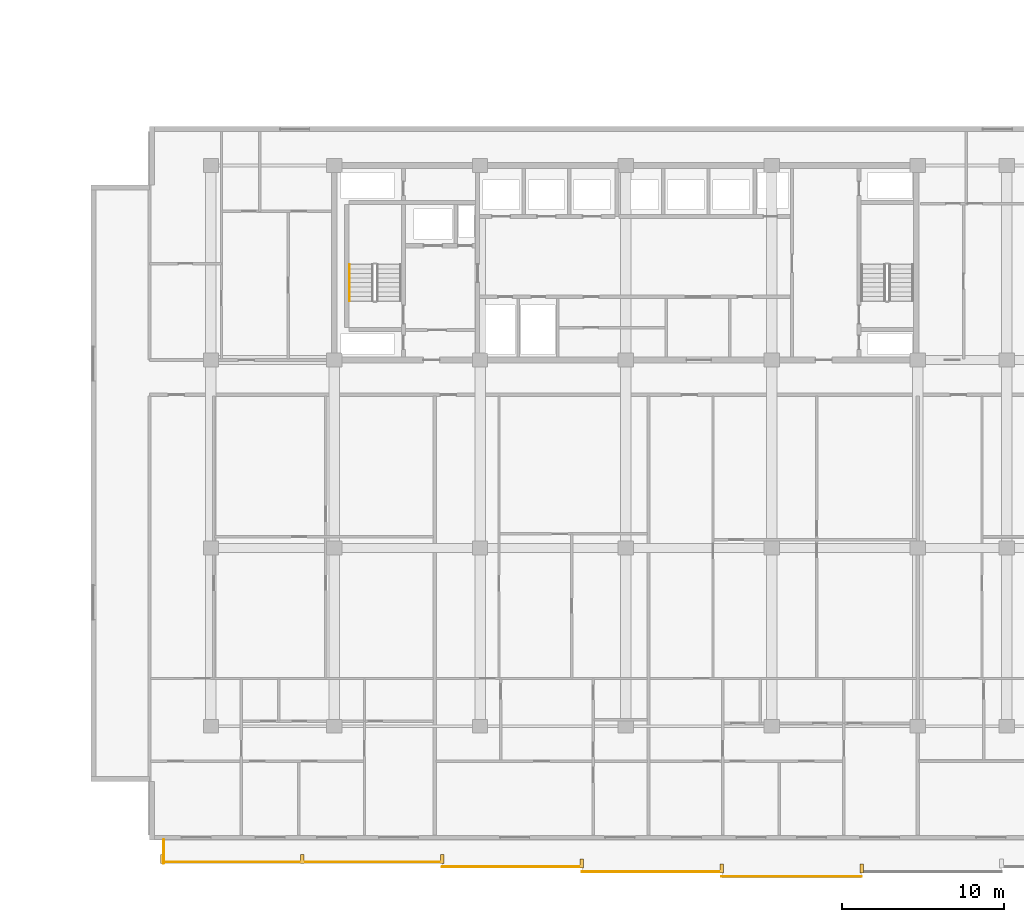
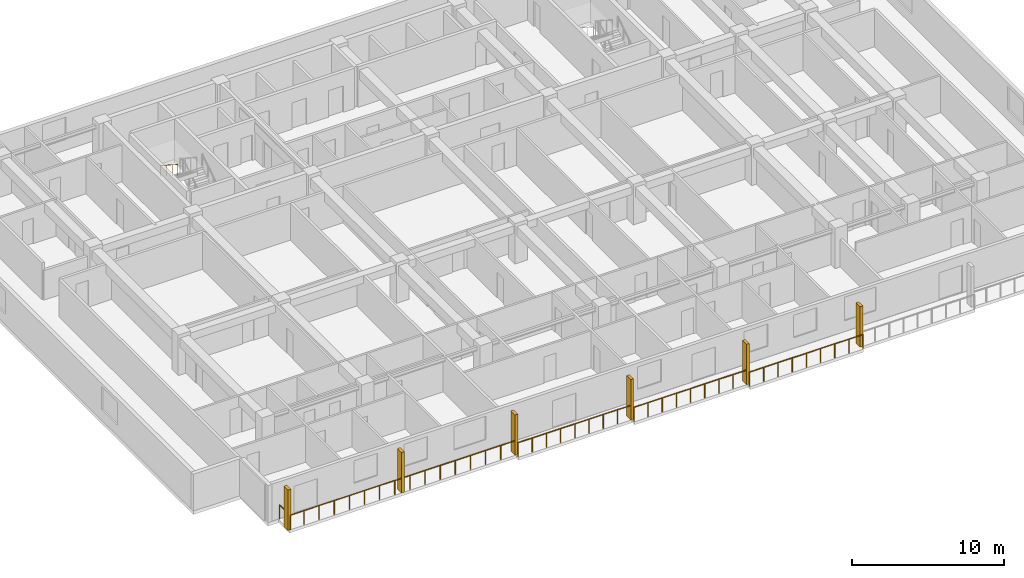
# One storey, part 19 of 23: 6 railings, 6 shading devices.
"""IFC4 building model written with IfcOpenShell, lengths in metres."""

from ifc_helpers import new_model, si_unit, direction, frame, origin, origin_2d, place, context, subcontext, project, spatial, rectangle, circle, extrude, material, type_object, element, save


model = new_model("IFC4")

# Units and contexts
model_context = context("Model", 3, precision=1e-05, world=origin(), true_north=direction((0.0, 1.0)))
body_context = subcontext(model_context, "Body", "Model", "MODEL_VIEW")
ifc_project = project(units=[si_unit("LENGTHUNIT", "METRE"), si_unit("AREAUNIT", "SQUARE_METRE"), si_unit("VOLUMEUNIT", "CUBIC_METRE"), si_unit("PLANEANGLEUNIT", "RADIAN"), si_unit("MASSUNIT", "GRAM", prefix="KILO")], contexts=[model_context])

# Site, building, storey
site_placement = place(None, origin())
site = spatial("IfcSite", under=ifc_project, at=site_placement, CompositionType="ELEMENT")
building_placement = place(site_placement, origin())
building = spatial("IfcBuilding", under=site, at=building_placement, Name="Korimba Cascade Residences", CompositionType="ELEMENT")
storey_placement = place(building_placement, frame((0.0, 0.0, 69.5)))
storey = spatial("IfcBuildingStorey", under=building, at=storey_placement, Name="L19", CompositionType="ELEMENT", Elevation=69.5)

# Railings
ifc_material_1 = material(Name="Laminated Glass and Bronze Balustrade", Category="glass")
railing_type_1 = type_object("IfcRailingType", Name="RLG-LOG-1150", PredefinedType="BALUSTRADE", material=ifc_material_1)
railing_1_placement = place(storey_placement, frame((71.5, -12.570068359375, 0.0)))
element("IfcRailing", 1, at=railing_1_placement, inside=storey, type_object=railing_type_1, Name="L19 Perimeter Guardrail RLG-L19-T2-LOG-01", PredefinedType="BALUSTRADE", context=body_context, shape_type="SweptSolid", body=[
    extrude(circle(Radius=0.02392578125, at=origin_2d()), frame((0.0, 0.0, 1.1259765625), z_axis=(1.0, 0.0, 0.0), x_axis=(0.0, 1.0, 0.0)), (0.0, 0.0, 1.0), 17.257080078125),
    extrude(circle(Radius=0.02099609375, at=origin_2d()), origin(), (0.0, 0.0, 1.0), 1.101806640625),
    extrude(circle(Radius=0.02099609375, at=origin_2d()), frame((1.150390625, 0.0, 0.0)), (0.0, 0.0, 1.0), 1.101806640625),
    extrude(circle(Radius=0.02099609375, at=origin_2d()), frame((2.301025390625, 0.0, 0.0)), (0.0, 0.0, 1.0), 1.101806640625),
    extrude(circle(Radius=0.02099609375, at=origin_2d()), frame((3.451416015625, 0.0, 0.0)), (0.0, 0.0, 1.0), 1.101806640625),
    extrude(circle(Radius=0.02099609375, at=origin_2d()), frame((4.601806640625, 0.0, 0.0)), (0.0, 0.0, 1.0), 1.101806640625),
    extrude(circle(Radius=0.02099609375, at=origin_2d()), frame((5.75244140625, 0.0, 0.0)), (0.0, 0.0, 1.0), 1.101806640625),
    extrude(circle(Radius=0.02099609375, at=origin_2d()), frame((6.90283203125, 0.0, 0.0)), (0.0, 0.0, 1.0), 1.101806640625),
    extrude(circle(Radius=0.02099609375, at=origin_2d()), frame((8.05322265625, 0.0, 0.0)), (0.0, 0.0, 1.0), 1.101806640625),
    extrude(circle(Radius=0.02099609375, at=origin_2d()), frame((9.203857421875, 0.0, 0.0)), (0.0, 0.0, 1.0), 1.101806640625),
    extrude(circle(Radius=0.02099609375, at=origin_2d()), frame((10.354248046875, 0.0, 0.0)), (0.0, 0.0, 1.0), 1.101806640625),
    extrude(circle(Radius=0.02099609375, at=origin_2d()), frame((11.504638671875, 0.0, 0.0)), (0.0, 0.0, 1.0), 1.101806640625),
    extrude(circle(Radius=0.02099609375, at=origin_2d()), frame((12.6552734375, 0.0, 0.0)), (0.0, 0.0, 1.0), 1.101806640625),
    extrude(circle(Radius=0.02099609375, at=origin_2d()), frame((13.8056640625, 0.0, 0.0)), (0.0, 0.0, 1.0), 1.101806640625),
    extrude(circle(Radius=0.02099609375, at=origin_2d()), frame((14.9560546875, 0.0, 0.0)), (0.0, 0.0, 1.0), 1.101806640625),
    extrude(circle(Radius=0.02099609375, at=origin_2d()), frame((16.106689453125, 0.0, 0.0)), (0.0, 0.0, 1.0), 1.101806640625),
    extrude(circle(Radius=0.02099609375, at=origin_2d()), frame((17.257080078125, 0.0, 0.0)), (0.0, 0.0, 1.0), 1.101806640625),
])
for number, where, name in (
    (2, (88.757080078125, -12.8701171875, 0.0), "L19 Perimeter Guardrail RLG-L19-T2-LOG-02"),
    (3, (97.3857421875, -13.169921875, 0.0), "L19 Perimeter Guardrail RLG-L19-T2-LOG-03"),
):
    element("IfcRailing", number, at=place(storey_placement, frame(where)), inside=storey, type_object=railing_type_1, Name=name, PredefinedType="BALUSTRADE", context=body_context, shape_type="SweptSolid", body=[
        extrude(circle(Radius=0.02392578125, at=origin_2d()), frame((0.0, 0.0, 1.1259765625), z_axis=(1.0, 0.0, 0.0), x_axis=(0.0, 1.0, 0.0)), (0.0, 0.0, 1.0), 8.628662109375),
        extrude(circle(Radius=0.02099609375, at=origin_2d()), origin(), (0.0, 0.0, 1.0), 1.101806640625),
        extrude(circle(Radius=0.02099609375, at=origin_2d()), frame((1.07861328125, 0.0, 0.0)), (0.0, 0.0, 1.0), 1.101806640625),
        extrude(circle(Radius=0.02099609375, at=origin_2d()), frame((2.1572265625, 0.0, 0.0)), (0.0, 0.0, 1.0), 1.101806640625),
        extrude(circle(Radius=0.02099609375, at=origin_2d()), frame((3.23583984375, 0.0, 0.0)), (0.0, 0.0, 1.0), 1.101806640625),
        extrude(circle(Radius=0.02099609375, at=origin_2d()), frame((4.314453125, 0.0, 0.0)), (0.0, 0.0, 1.0), 1.101806640625),
        extrude(circle(Radius=0.02099609375, at=origin_2d()), frame((5.392822265625, 0.0, 0.0)), (0.0, 0.0, 1.0), 1.101806640625),
        extrude(circle(Radius=0.02099609375, at=origin_2d()), frame((6.471435546875, 0.0, 0.0)), (0.0, 0.0, 1.0), 1.101806640625),
        extrude(circle(Radius=0.02099609375, at=origin_2d()), frame((7.550048828125, 0.0, 0.0)), (0.0, 0.0, 1.0), 1.101806640625),
        extrude(circle(Radius=0.02099609375, at=origin_2d()), frame((8.628662109375, 0.0, 0.0)), (0.0, 0.0, 1.0), 1.101806640625),
    ])
railing_2_placement = place(storey_placement, frame((106.014404296875, -13.469970703125, 0.0)))
element("IfcRailing", 4, at=railing_2_placement, inside=storey, type_object=railing_type_1, Name="L19 Perimeter Guardrail RLG-L19-T2-LOG-04", PredefinedType="BALUSTRADE", context=body_context, shape_type="SweptSolid", body=[
    extrude(circle(Radius=0.02392578125, at=origin_2d()), frame((0.0, 0.0, 1.1259765625), z_axis=(1.0, 0.0, 0.0), x_axis=(0.0, 1.0, 0.0)), (0.0, 0.0, 1.0), 8.62841796875),
    extrude(circle(Radius=0.02099609375, at=origin_2d()), origin(), (0.0, 0.0, 1.0), 1.101806640625),
    extrude(circle(Radius=0.02099609375, at=origin_2d()), frame((1.07861328125, 0.0, 0.0)), (0.0, 0.0, 1.0), 1.101806640625),
    extrude(circle(Radius=0.02099609375, at=origin_2d()), frame((2.1572265625, 0.0, 0.0)), (0.0, 0.0, 1.0), 1.101806640625),
    extrude(circle(Radius=0.02099609375, at=origin_2d()), frame((3.235595703125, 0.0, 0.0)), (0.0, 0.0, 1.0), 1.101806640625),
    extrude(circle(Radius=0.02099609375, at=origin_2d()), frame((4.314208984375, 0.0, 0.0)), (0.0, 0.0, 1.0), 1.101806640625),
    extrude(circle(Radius=0.02099609375, at=origin_2d()), frame((5.392822265625, 0.0, 0.0)), (0.0, 0.0, 1.0), 1.101806640625),
    extrude(circle(Radius=0.02099609375, at=origin_2d()), frame((6.47119140625, 0.0, 0.0)), (0.0, 0.0, 1.0), 1.101806640625),
    extrude(circle(Radius=0.02099609375, at=origin_2d()), frame((7.5498046875, 0.0, 0.0)), (0.0, 0.0, 1.0), 1.101806640625),
    extrude(circle(Radius=0.02099609375, at=origin_2d()), frame((8.62841796875, 0.0, 0.0)), (0.0, 0.0, 1.0), 1.101806640625),
])
railing_3_placement = place(storey_placement, frame((71.580078125, -11.199951171875, 0.0)))
element("IfcRailing", 5, at=railing_3_placement, inside=storey, type_object=railing_type_1, Name="L19 Perimeter Guardrail RLG-L19-T2-LOG-08", PredefinedType="BALUSTRADE", context=body_context, shape_type="SweptSolid", body=[
    extrude(circle(Radius=0.02392578125, at=origin_2d()), frame((0.0, 0.0, 1.1259765625), z_axis=(0.0, -1.0, 0.0), x_axis=(1.0, 0.0, 0.0)), (0.0, 0.0, 1.0), 1.449951171875),
    extrude(circle(Radius=0.02099609375, at=origin_2d()), origin(), (0.0, 0.0, 1.0), 1.101806640625),
    extrude(circle(Radius=0.02099609375, at=origin_2d()), frame((0.0, -0.72509765625, 0.0)), (0.0, 0.0, 1.0), 1.101806640625),
    extrude(circle(Radius=0.02099609375, at=origin_2d()), frame((0.0, -1.449951171875, 0.0)), (0.0, 0.0, 1.0), 1.101806640625),
])
ifc_material_2 = material(Name="Brushed Stainless Steel Handrail", Category="steel")
railing_type_2 = type_object("IfcRailingType", Name="RLG-ST-HR900", PredefinedType="HANDRAIL", material=ifc_material_2)
railing_4_placement = place(storey_placement, frame((83.050048828125, 24.2900390625, 1.989990234375)))
element("IfcRailing", 6, at=railing_4_placement, inside=storey, type_object=railing_type_2, Name="L19 ST-E1 stair handrail 2", PredefinedType="HANDRAIL", context=body_context, shape_type="SweptSolid", body=[
    extrude(circle(Radius=0.02392578125, at=origin_2d()), frame((0.0, 0.0, 0.8759765625), z_axis=(0.0, -0.840436612492, 0.541909863706), x_axis=(1.0, 0.0, 0.0)), (0.0, 0.0, 1.0), 2.665283203125),
    extrude(circle(Radius=0.02099609375, at=origin_2d()), origin(), (0.0, 0.0, 1.0), 0.851806640625),
    extrude(circle(Radius=0.02099609375, at=origin_2d()), frame((0.0, -0.74658203125, 0.4814453125)), (0.0, 0.0, 1.0), 0.851806640625),
    extrude(circle(Radius=0.02099609375, at=origin_2d()), frame((0.0, -1.493408203125, 0.962890625)), (0.0, 0.0, 1.0), 0.851806640625),
    extrude(circle(Radius=0.02099609375, at=origin_2d()), frame((0.0, -2.239990234375, 1.4443359375)), (0.0, 0.0, 1.0), 0.851806640625),
])

# Shading devices
ifc_material_3 = material(Name="Honed Sandstone Precast Fin", Category="masonry")
shading_device_type = type_object("IfcShadingDeviceType", Name="SHD-FIN-550", PredefinedType="USERDEFINED", material=ifc_material_3)
for number, where, z_axis, x_axis, name in (
    (7, (71.5, -12.375, 0.0), (0.0, 0.0, 1.0), (1.0, 0.0, 0.0), "L19 T2 Warm-Stone Loggia Fin 1"),
    (8, (80.128662109375, -12.375, 0.0), (0.0, 0.0, 1.0), (1.0, 0.0, 0.0), "L19 T2 Warm-Stone Loggia Fin 2"),
    (9, (88.757080078125, -12.375, 0.0), (0.0, 0.0, 1.0), (1.0, 0.0, 0.0), "L19 T2 Warm-Stone Loggia Fin 3"),
    (10, (97.3857421875, -12.675048828125, 0.0), (0.0, 0.0, 1.0), (1.0, 0.0, 0.0), "L19 T2 Warm-Stone Loggia Fin 4"),
    (11, (106.014404296875, -12.97509765625, 0.0), (0.0, 0.0, 1.0), (1.0, 0.0, 0.0), "L19 T2 Warm-Stone Loggia Fin 5"),
    (12, (114.642822265625, -12.97509765625, 0.0), (0.0, 0.0, 1.0), (1.0, 0.0, 0.0), "L19 T2 Warm-Stone Loggia Fin 6"),
):
    element("IfcShadingDevice", number, at=place(storey_placement, frame(where, z_axis=z_axis, x_axis=x_axis)), inside=storey, type_object=shading_device_type, Name=name, ObjectType="FIN", PredefinedType="USERDEFINED", context=body_context, shape_type="SweptSolid", body=[
        extrude(rectangle(XDim=0.219970703125, YDim=0.550048828125, at=origin_2d()), origin(), (0.0, 0.0, 1.0), 3.25),
    ])

save(model, "model.ifc")
